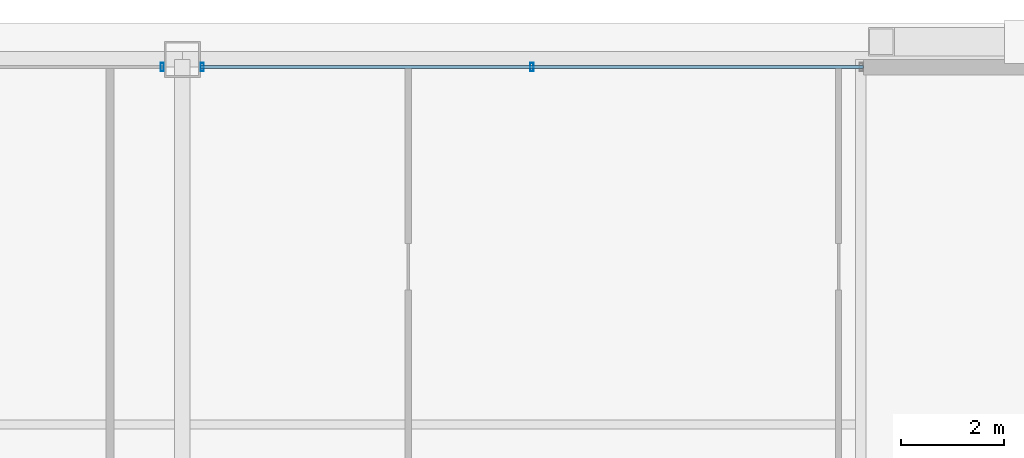
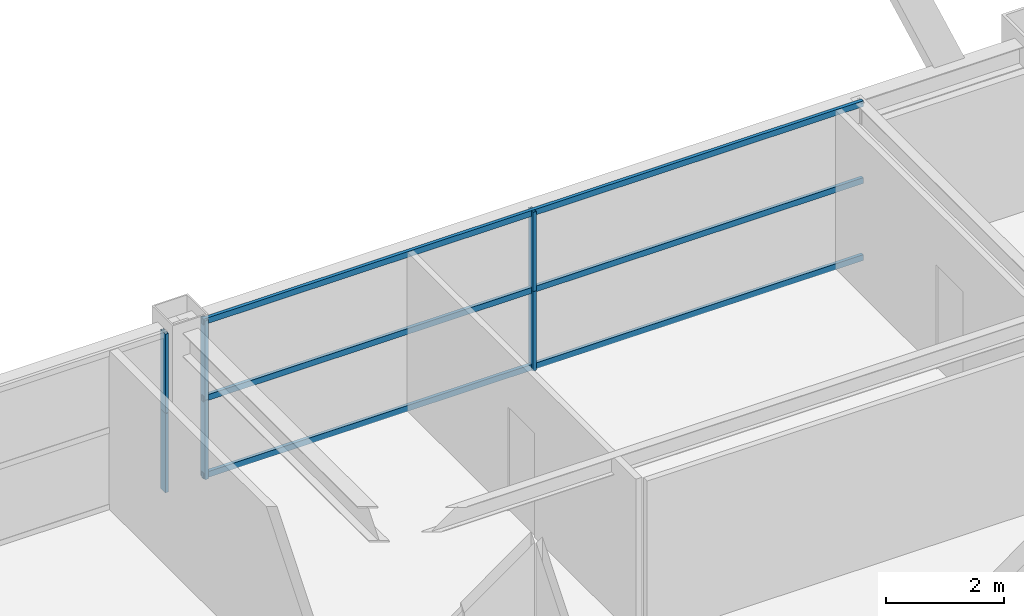
# One storey, part 28 of 37: 9 members, 2 elements without a shape of their own.
"""IFC4 building model written with IfcOpenShell, lengths in metres."""

from ifc_helpers import new_model, si_unit, direction, frame, origin, origin_2d, place, context, subcontext, project, spatial, hollow_rectangle, extrude, source, transform, mapped, material, layer, layer_set, material_profile, profile_set, type_object, element, aggregate, save


model = new_model("IFC4")

# Units and contexts
model_context = context("Model", 3, precision=1e-05, world=origin(), true_north=direction((0.0, 1.0)))
body_context = subcontext(model_context, "Body", "Model", "MODEL_VIEW")
ifc_project = project(units=[si_unit("LENGTHUNIT", "METRE"), si_unit("AREAUNIT", "SQUARE_METRE"), si_unit("VOLUMEUNIT", "CUBIC_METRE"), si_unit("PLANEANGLEUNIT", "RADIAN"), si_unit("MASSUNIT", "GRAM", prefix="KILO"), si_unit("THERMODYNAMICTEMPERATUREUNIT", "KELVIN"), si_unit("POWERUNIT", "WATT")], contexts=[model_context])

# Site, building, storey
site_placement = place(None, origin())
site = spatial("IfcSite", under=ifc_project, at=site_placement, CompositionType="ELEMENT")
building_placement = place(site_placement, origin())
building = spatial("IfcBuilding", under=site, at=building_placement, Name="Yuzanri Waterfront Tower", CompositionType="ELEMENT")
storey_placement = place(building_placement, frame((0.0, 0.0, 278.60009765625)))
storey = spatial("IfcBuildingStorey", under=building, at=storey_placement, Name="L74", CompositionType="ELEMENT", Elevation=278.60009765625)

# Curtain wall, members
ifc_material_1 = material(Name="Anodized Architectural Bronze", Category="metal")
ifc_layer = layer(ifc_material_1, 0.159912109375)
ifc_layer_set = layer_set([ifc_layer], Name="Anodized Architectural Bronze")
curtain_wall_type = type_object("IfcCurtainWallType", Name="Anodized Bronze Mid-Rise Residential Acoustic Unitized Curtain Wall 7200", PredefinedType="NOTDEFINED", material=ifc_layer_set)
curtain_wall_1_placement = place(storey_placement, origin())
curtain_wall_1 = element("IfcCurtainWall", 1, at=curtain_wall_1_placement, inside=storey, type_object=curtain_wall_type, Name="L74 Curtain Wall CW-L74-NL", PredefinedType="NOTDEFINED")
ifc_material_2 = material(Name="Anodized Architectural Bronze", Category="metal")
ifc_material_profile_1 = material_profile(ifc_material_2, hollow_rectangle(XDim=0.06494140625, YDim=0.159912109375, WallThickness=0.00341796875, at=origin_2d()), Name="CWM 65x160")
ifc_profile_set_1 = profile_set([ifc_material_profile_1], Name="Anodized Architectural Bronze")
member_type_1 = type_object("IfcMemberType", Name="Anodized Bronze Upper-Zone Curtain-Wall Mullion 65x160", PredefinedType="MULLION", material=ifc_profile_set_1)
shared_shape_1 = source(origin(), body_context, "Body", "SweptSolid", [
    extrude(hollow_rectangle(XDim=0.06494140625, YDim=0.159912109375, WallThickness=0.00341796875, at=origin_2d()), origin(), (0.0, 0.0, 1.0), 1.637939453125),
])
member_1_placement = place(storey_placement, frame((36.610107421875, 46.25, 0.0), z_axis=(0.0, 0.0, 1.0), x_axis=(1.0, 0.0, 0.0)))
member_1 = element("IfcMember", 2, at=member_1_placement, type_object=member_type_1, Name="CW-L74-NL Lower Mullion 02", PredefinedType="MULLION", context=body_context, shape_type="MappedRepresentation", body=[
    mapped(shared_shape_1, transform((0.0, 0.0, 0.0), scale=1.0)),
])
member_2_placement = place(storey_placement, frame((36.610107421875, 46.25, 1.641845703125), z_axis=(0.0, 0.0, 1.0), x_axis=(1.0, 0.0, 0.0)))
member_2 = element("IfcMember", 3, at=member_2_placement, type_object=member_type_1, Name="CW-L74-NL Upper Mullion 02", PredefinedType="MULLION", context=body_context, shape_type="MappedRepresentation", body=[
    mapped(shared_shape_1, transform((0.0, 0.0, 0.0), scale=1.0)),
])
aggregate(curtain_wall_1, [member_1, member_2])

curtain_wall_2_placement = place(storey_placement, origin())
curtain_wall_2 = element("IfcCurtainWall", 4, at=curtain_wall_2_placement, inside=storey, type_object=curtain_wall_type, Name="L74 Curtain Wall CW-L74-NR", PredefinedType="NOTDEFINED")
member_3_placement = place(storey_placement, frame((37.389892578125, 46.25, 0.0), z_axis=(0.0, 0.0, 1.0), x_axis=(1.0, 0.0, 0.0)))
member_3 = element("IfcMember", 5, at=member_3_placement, type_object=member_type_1, Name="CW-L74-NR Lower Mullion 00", PredefinedType="MULLION", context=body_context, shape_type="MappedRepresentation", body=[
    mapped(shared_shape_1, transform((0.0, 0.0, 0.0), scale=1.0)),
])
member_4_placement = place(storey_placement, frame((37.389892578125, 46.25, 1.641845703125), z_axis=(0.0, 0.0, 1.0), x_axis=(1.0, 0.0, 0.0)))
member_4 = element("IfcMember", 6, at=member_4_placement, type_object=member_type_1, Name="CW-L74-NR Upper Mullion 00", PredefinedType="MULLION", context=body_context, shape_type="MappedRepresentation", body=[
    mapped(shared_shape_1, transform((0.0, 0.0, 0.0), scale=1.0)),
])
member_5_placement = place(storey_placement, frame((43.800048828125, 46.25, 0.0), z_axis=(0.0, 0.0, 1.0), x_axis=(1.0, 0.0, 0.0)))
member_5 = element("IfcMember", 7, at=member_5_placement, type_object=member_type_1, Name="CW-L74-NR Lower Mullion 01", PredefinedType="MULLION", context=body_context, shape_type="MappedRepresentation", body=[
    mapped(shared_shape_1, transform((0.0, 0.0, 0.0), scale=1.0)),
])
member_6_placement = place(storey_placement, frame((43.800048828125, 46.25, 1.641845703125), z_axis=(0.0, 0.0, 1.0), x_axis=(1.0, 0.0, 0.0)))
member_6 = element("IfcMember", 8, at=member_6_placement, type_object=member_type_1, Name="CW-L74-NR Upper Mullion 01", PredefinedType="MULLION", context=body_context, shape_type="MappedRepresentation", body=[
    mapped(shared_shape_1, transform((0.0, 0.0, 0.0), scale=1.0)),
])
ifc_material_3 = material(Name="Anodized Architectural Bronze", Category="metal")
ifc_material_profile_2 = material_profile(ifc_material_3, hollow_rectangle(XDim=0.06494140625, YDim=0.1201171875, WallThickness=0.00341796875, at=origin_2d()), Name="CWT 65x120")
ifc_profile_set_2 = profile_set([ifc_material_profile_2], Name="Anodized Architectural Bronze")
member_type_2 = type_object("IfcMemberType", Name="Anodized Bronze Secondary Curtain-Wall Transom 65x120", PredefinedType="USERDEFINED", material=ifc_profile_set_2)
shared_shape_2 = source(origin(), body_context, "Body", "SweptSolid", [
    extrude(hollow_rectangle(XDim=0.06494140625, YDim=0.1201171875, WallThickness=0.00341796875, at=origin_2d()), origin(), (0.0, 0.0, 1.0), 12.89990234375),
])
member_7_placement = place(storey_placement, frame((37.35009765625, 46.25, 0.0498046875), z_axis=(1.0, 0.0, 0.0), x_axis=(0.0, 1.0, 0.0)))
member_7 = element("IfcMember", 9, at=member_7_placement, type_object=member_type_2, Name="CW-L74-NR Transom 1", ObjectType="TRANSOM", PredefinedType="USERDEFINED", context=body_context, shape_type="MappedRepresentation", body=[
    mapped(shared_shape_2, transform((0.0, 0.0, 0.0), scale=1.0)),
])
member_8_placement = place(storey_placement, frame((37.35009765625, 46.25, 1.639892578125), z_axis=(1.0, 0.0, 0.0), x_axis=(0.0, 1.0, 0.0)))
member_8 = element("IfcMember", 10, at=member_8_placement, type_object=member_type_2, Name="CW-L74-NR Transom 2", ObjectType="TRANSOM", PredefinedType="USERDEFINED", context=body_context, shape_type="MappedRepresentation", body=[
    mapped(shared_shape_2, transform((0.0, 0.0, 0.0), scale=1.0)),
])
member_9_placement = place(storey_placement, frame((37.35009765625, 46.25, 3.22998046875), z_axis=(1.0, 0.0, 0.0), x_axis=(0.0, 1.0, 0.0)))
member_9 = element("IfcMember", 11, at=member_9_placement, type_object=member_type_2, Name="CW-L74-NR Transom 3", ObjectType="TRANSOM", PredefinedType="USERDEFINED", context=body_context, shape_type="MappedRepresentation", body=[
    mapped(shared_shape_2, transform((0.0, 0.0, 0.0), scale=1.0)),
])
aggregate(curtain_wall_2, [member_3, member_4, member_5, member_6, member_7, member_8, member_9])

save(model, "model.ifc")
